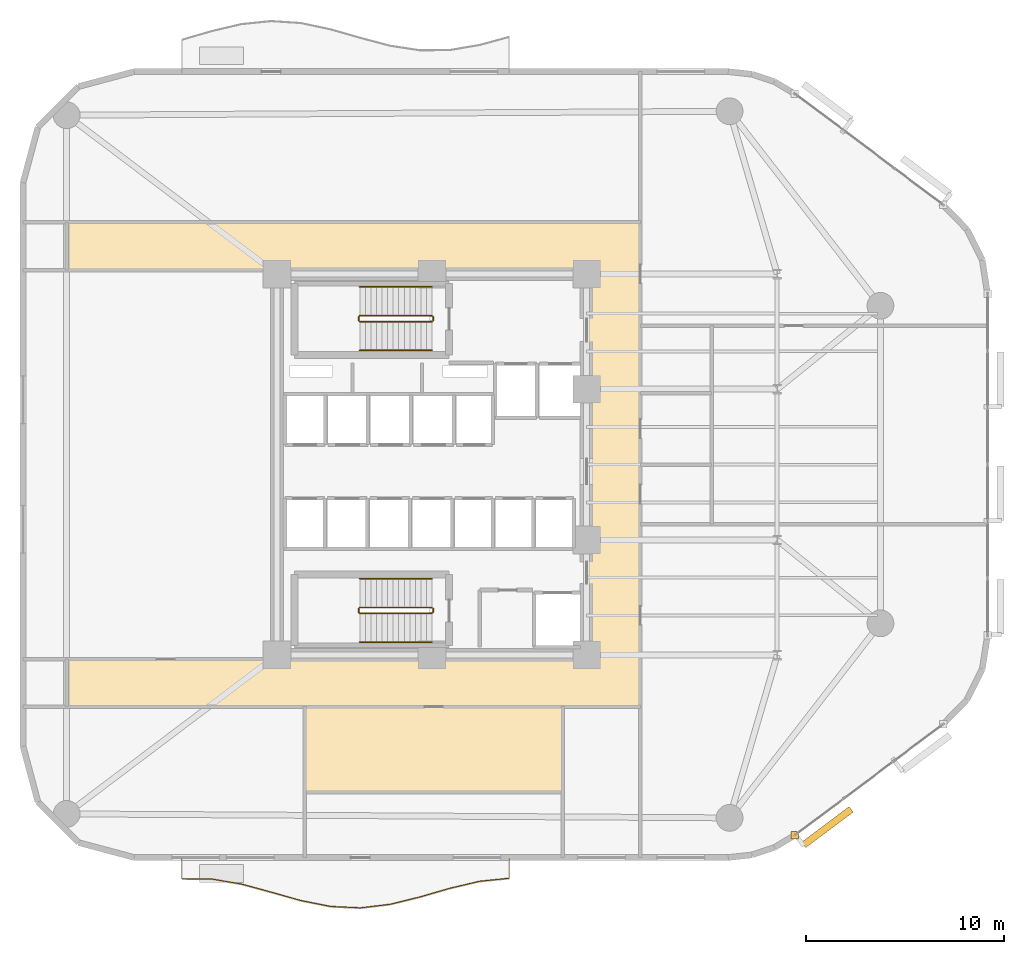
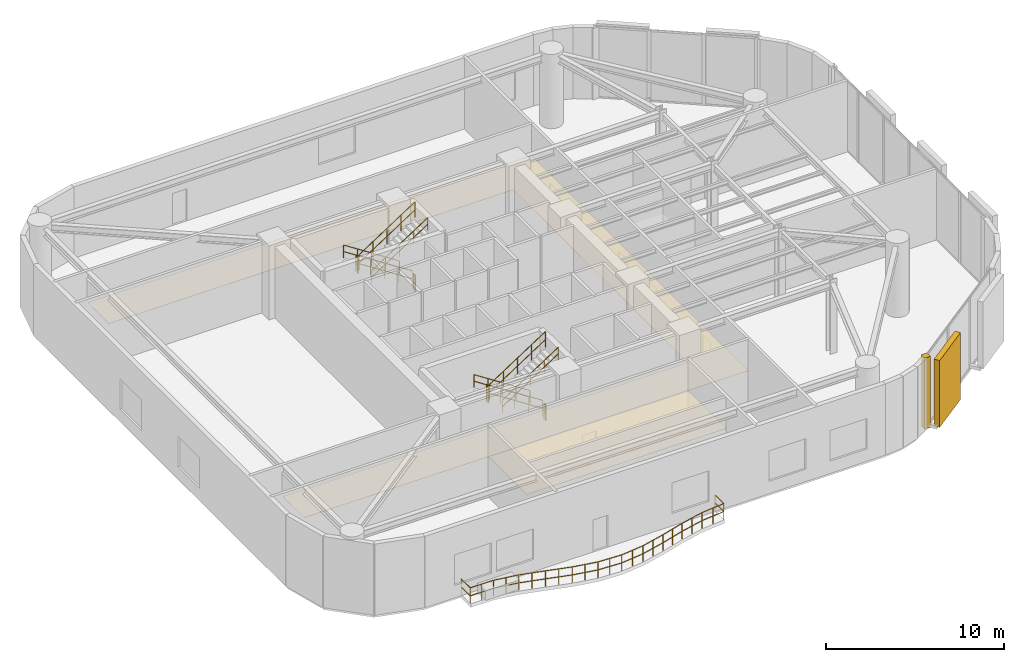
# One storey, part 13 of 14: 13 railings, 3 coverings, 1 shading device.
"""IFC4 building model written with IfcOpenShell, lengths in metres."""

from ifc_helpers import new_model, si_unit, direction, frame, origin, origin_2d, place, context, subcontext, project, spatial, polyline, rectangle, circle, outline, extrude, material, layer, layer_set, type_object, element, save


model = new_model("IFC4")

# Units and contexts
model_context = context("Model", 3, precision=1e-05, world=origin(), true_north=direction((0.0, 1.0)))
body_context = subcontext(model_context, "Body", "Model", "MODEL_VIEW")
ifc_project = project(units=[si_unit("LENGTHUNIT", "METRE"), si_unit("AREAUNIT", "SQUARE_METRE"), si_unit("VOLUMEUNIT", "CUBIC_METRE"), si_unit("PLANEANGLEUNIT", "RADIAN"), si_unit("MASSUNIT", "GRAM", prefix="KILO")], contexts=[model_context])

# Site, building, storey
site_placement = place(None, origin())
site = spatial("IfcSite", under=ifc_project, at=site_placement, CompositionType="ELEMENT")
building_placement = place(site_placement, origin())
building = spatial("IfcBuilding", under=site, at=building_placement, Name="An Khanh Terracotta Commons", CompositionType="ELEMENT")
storey_placement = place(building_placement, frame((0.0, 0.0, 81.199951171875)))
storey = spatial("IfcBuildingStorey", under=building, at=storey_placement, Name="L21", CompositionType="ELEMENT", Elevation=81.199951171875)

# Coverings
ifc_material_1 = material(Name="Perforated Mineral-Fibre Acoustic Tile")
ifc_layer_1 = layer(ifc_material_1, 0.02001953125, Name="Perforated Mineral-Fibre Acoustic Tile")
ifc_layer_set_1 = layer_set([ifc_layer_1], Name="Perforated Mineral-Fibre Acoustic Tile")
covering_type_1 = type_object("IfcCoveringType", Name="CEIL-ACOUSTIC-18", PredefinedType="CEILING", material=ifc_layer_set_1)
covering_1_placement = place(storey_placement, frame((0.0, 0.0, 2.650146484375)))
element("IfcCovering", 1, at=covering_1_placement, inside=storey, type_object=covering_type_1, Name="L21 Sky Lobby Ceiling", PredefinedType="CEILING", context=body_context, shape_type="SweptSolid", body=[
    extrude(outline(polyline([(11.0, 11.800048828125), (11.0, 14.199951171875), (37.300048828125, 14.199951171875), (37.300048828125, 14.280029296875), (37.320068359375, 14.280029296875), (37.320068359375, 33.719970703125), (37.300048828125, 33.719970703125), (37.300048828125, 33.800048828125), (11.0, 33.800048828125), (11.0, 36.199951171875), (39.89990234375, 36.199951171875), (39.89990234375, 35.800048828125), (39.89990234375, 33.800048828125), (39.89990234375, 14.199951171875), (39.89990234375, 12.199951171875), (39.89990234375, 11.800048828125), (11.0, 11.800048828125)])), origin(), (0.0, 0.0, 1.0), 0.02001953125),
])
covering_2_placement = place(storey_placement, frame((0.0, 0.0, 2.650146484375)))
element("IfcCovering", 2, at=covering_2_placement, inside=storey, type_object=covering_type_1, Name="L21 Sky Lobby Pantry Store Ceiling", PredefinedType="CEILING", context=body_context, shape_type="SweptSolid", body=[
    extrude(outline(polyline([(36.0, 11.800048828125), (36.0, 7.5), (23.0, 7.5), (23.0, 11.800048828125), (36.0, 11.800048828125)])), origin(), (0.0, 0.0, 1.0), 0.02001953125),
])
ifc_material_2 = material(Name="Fired Terracotta Rainscreen Cladding", Category="masonry")
ifc_layer_2 = layer(ifc_material_2, 0.080078125, Name="Fired Terracotta Rainscreen Cladding")
ifc_layer_set_2 = layer_set([ifc_layer_2], Name="Fired Terracotta Rainscreen Cladding")
covering_type_2 = type_object("IfcCoveringType", Name="COV-JAMB-TERRA", PredefinedType="CLADDING", material=ifc_layer_set_2)
covering_3_placement = place(storey_placement, frame((47.693115234375, 5.320068359375, 0.0), z_axis=(0.0, 0.0, 1.0), x_axis=(1.0, 0.0, 0.0)))
element("IfcCovering", 3, at=covering_3_placement, inside=storey, type_object=covering_type_2, Name="L21 CW-04 Curtain-Wall Jamb Closure JA", PredefinedType="CLADDING", context=body_context, shape_type="SweptSolid", body=[
    extrude(rectangle(XDim=0.3798828125, YDim=0.3798828125, at=origin_2d()), origin(), (0.0, 0.0, 1.0), 4.89990234375),
])

# Railings
ifc_material_3 = material(Name="Brushed Stainless Steel 316", Category="steel")
railing_type_1 = type_object("IfcRailingType", Name="RAIL-BALUSTRADE-1100", PredefinedType="BALUSTRADE", material=ifc_material_3)
railing_1_placement = place(storey_placement, frame((16.800048828125, 4.139892578125, 0.0)))
element("IfcRailing", 4, at=railing_1_placement, inside=storey, type_object=railing_type_1, Name="L21 S Wave Balcony Guard Balustrade", PredefinedType="BALUSTRADE", context=body_context, shape_type="SweptSolid", body=[
    extrude(circle(Radius=0.02392578125, at=origin_2d()), frame((0.0, 0.0, 1.076171875), z_axis=(0.0, -1.0, 0.0), x_axis=(1.0, 0.0, 0.0)), (0.0, 0.0, 1.0), 1.005859375),
    extrude(circle(Radius=0.02392578125, at=origin_2d()), frame((0.0, 0.0, 0.52587890625), z_axis=(0.0, -1.0, 0.0), x_axis=(1.0, 0.0, 0.0)), (0.0, 0.0, 1.0), 1.005859375),
    extrude(circle(Radius=0.02392578125, at=origin_2d()), frame((0.0, -1.005859375, 1.076171875), z_axis=(0.999956968224, -0.009276944529, 0.0), x_axis=(0.009276944529, 0.999956968224, 0.0)), (0.0, 0.0, 1.0), 1.5),
    extrude(circle(Radius=0.02392578125, at=origin_2d()), frame((0.0, -1.005859375, 0.52587890625), z_axis=(0.999956968224, -0.009276944529, 0.0), x_axis=(0.009276944529, 0.999956968224, 0.0)), (0.0, 0.0, 1.0), 1.5),
    extrude(circle(Radius=0.02392578125, at=origin_2d()), frame((1.5, -1.019775390625, 1.076171875), z_axis=(0.986053503704, -0.166428626846, 0.0), x_axis=(0.166428626846, 0.986053503704, 0.0)), (0.0, 0.0, 1.0), 1.521240234375),
    extrude(circle(Radius=0.02392578125, at=origin_2d()), frame((1.5, -1.019775390625, 0.52587890625), z_axis=(0.986053503704, -0.166428626846, 0.0), x_axis=(0.166428626846, 0.986053503704, 0.0)), (0.0, 0.0, 1.0), 1.521240234375),
    extrude(circle(Radius=0.02392578125, at=origin_2d()), frame((3.0, -1.27294921875, 1.076171875), z_axis=(0.964948425307, -0.262439586375, 0.0), x_axis=(0.262439586375, 0.964948425307, 0.0)), (0.0, 0.0, 1.0), 1.554443359375),
    extrude(circle(Radius=0.02392578125, at=origin_2d()), frame((3.0, -1.27294921875, 0.52587890625), z_axis=(0.964948425307, -0.262439586375, 0.0), x_axis=(0.262439586375, 0.964948425307, 0.0)), (0.0, 0.0, 1.0), 1.554443359375),
    extrude(circle(Radius=0.02392578125, at=origin_2d()), frame((4.5, -1.680908203125, 1.076171875), z_axis=(0.962282666556, -0.272051593719, 0.0), x_axis=(0.272051593719, 0.962282666556, 0.0)), (0.0, 0.0, 1.0), 1.558837890625),
    extrude(circle(Radius=0.02392578125, at=origin_2d()), frame((4.5, -1.680908203125, 0.52587890625), z_axis=(0.962282666556, -0.272051593719, 0.0), x_axis=(0.272051593719, 0.962282666556, 0.0)), (0.0, 0.0, 1.0), 1.558837890625),
    extrude(circle(Radius=0.02392578125, at=origin_2d()), frame((6.0, -2.10498046875, 1.076171875), z_axis=(0.980849911242, -0.194765119094, 0.0), x_axis=(0.194765119094, 0.980849911242, 0.0)), (0.0, 0.0, 1.0), 1.529296875),
    extrude(circle(Radius=0.02392578125, at=origin_2d()), frame((6.0, -2.10498046875, 0.52587890625), z_axis=(0.980849911242, -0.194765119094, 0.0), x_axis=(0.194765119094, 0.980849911242, 0.0)), (0.0, 0.0, 1.0), 1.529296875),
    extrude(circle(Radius=0.02392578125, at=origin_2d()), frame((7.5, -2.40283203125, 1.076171875), z_axis=(0.998880243389, -0.047310245903, 0.0), x_axis=(0.047310245903, 0.998880243389, 0.0)), (0.0, 0.0, 1.0), 1.501708984375),
    extrude(circle(Radius=0.02392578125, at=origin_2d()), frame((7.5, -2.40283203125, 0.52587890625), z_axis=(0.998880243389, -0.047310245903, 0.0), x_axis=(0.047310245903, 0.998880243389, 0.0)), (0.0, 0.0, 1.0), 1.501708984375),
    extrude(circle(Radius=0.02392578125, at=origin_2d()), frame((9.0, -2.473876953125, 1.076171875), z_axis=(0.99288219023, 0.11910061429, 0.0), x_axis=(-0.11910061429, 0.99288219023, 0.0)), (0.0, 0.0, 1.0), 1.5107421875),
    extrude(circle(Radius=0.02392578125, at=origin_2d()), frame((9.0, -2.473876953125, 0.52587890625), z_axis=(0.99288219023, 0.11910061429, 0.0), x_axis=(-0.11910061429, 0.99288219023, 0.0)), (0.0, 0.0, 1.0), 1.5107421875),
    extrude(circle(Radius=0.02392578125, at=origin_2d()), frame((10.5, -2.2939453125, 1.076171875), z_axis=(0.970881568768, 0.239559970419, 0.0), x_axis=(-0.239559970419, 0.970881568768, 0.0)), (0.0, 0.0, 1.0), 1.544921875),
    extrude(circle(Radius=0.02392578125, at=origin_2d()), frame((10.5, -2.2939453125, 0.52587890625), z_axis=(0.970881568768, 0.239559970419, 0.0), x_axis=(-0.239559970419, 0.970881568768, 0.0)), (0.0, 0.0, 1.0), 1.544921875),
    extrude(circle(Radius=0.02392578125, at=origin_2d()), frame((12.0, -1.923828125, 1.076171875), z_axis=(0.960460913759, 0.278414857976, 0.0), x_axis=(-0.278414857976, 0.960460913759, 0.0)), (0.0, 0.0, 1.0), 1.561767578125),
    extrude(circle(Radius=0.02392578125, at=origin_2d()), frame((12.0, -1.923828125, 0.52587890625), z_axis=(0.960460913759, 0.278414857976, 0.0), x_axis=(-0.278414857976, 0.960460913759, 0.0)), (0.0, 0.0, 1.0), 1.561767578125),
    extrude(circle(Radius=0.02392578125, at=origin_2d()), frame((13.5, -1.489013671875, 1.076171875), z_axis=(0.973263214687, 0.229692653206, 0.0), x_axis=(-0.229692653206, 0.973263214687, 0.0)), (0.0, 0.0, 1.0), 1.541259765625),
    extrude(circle(Radius=0.02392578125, at=origin_2d()), frame((13.5, -1.489013671875, 0.52587890625), z_axis=(0.973263214687, 0.229692653206, 0.0), x_axis=(-0.229692653206, 0.973263214687, 0.0)), (0.0, 0.0, 1.0), 1.541259765625),
    extrude(circle(Radius=0.02392578125, at=origin_2d()), frame((15.0, -1.135009765625, 1.076171875), z_axis=(0.994833141332, 0.101523499286, 0.0), x_axis=(-0.101523499286, 0.994833141332, 0.0)), (0.0, 0.0, 1.0), 1.5078125),
    extrude(circle(Radius=0.02392578125, at=origin_2d()), frame((15.0, -1.135009765625, 0.52587890625), z_axis=(0.994833141332, 0.101523499286, 0.0), x_axis=(-0.101523499286, 0.994833141332, 0.0)), (0.0, 0.0, 1.0), 1.5078125),
    extrude(circle(Radius=0.02392578125, at=origin_2d()), frame((16.5, -0.98193359375, 1.076171875), z_axis=(0.0, 1.0, 0.0), x_axis=(-1.0, 0.0, 0.0)), (0.0, 0.0, 1.0), 0.98193359375),
    extrude(circle(Radius=0.02392578125, at=origin_2d()), frame((16.5, -0.98193359375, 0.52587890625), z_axis=(0.0, 1.0, 0.0), x_axis=(-1.0, 0.0, 0.0)), (0.0, 0.0, 1.0), 0.98193359375),
    extrude(circle(Radius=0.02099609375, at=origin_2d()), origin(), (0.0, 0.0, 1.0), 1.052001953125),
    extrude(circle(Radius=0.02099609375, at=origin_2d()), frame((0.0, -1.005859375, 0.0)), (0.0, 0.0, 1.0), 1.052001953125),
    extrude(circle(Radius=0.02099609375, at=origin_2d()), frame((0.75, -1.0126953125, 0.0)), (0.0, 0.0, 1.0), 1.052001953125),
    extrude(circle(Radius=0.02099609375, at=origin_2d()), frame((1.5, -1.019775390625, 0.0)), (0.0, 0.0, 1.0), 1.052001953125),
    extrude(circle(Radius=0.02099609375, at=origin_2d()), frame((2.25, -1.146484375, 0.0)), (0.0, 0.0, 1.0), 1.052001953125),
    extrude(circle(Radius=0.02099609375, at=origin_2d()), frame((3.0, -1.27294921875, 0.0)), (0.0, 0.0, 1.0), 1.052001953125),
    extrude(circle(Radius=0.02099609375, at=origin_2d()), frame((3.75, -1.47705078125, 0.0)), (0.0, 0.0, 1.0), 1.052001953125),
    extrude(circle(Radius=0.02099609375, at=origin_2d()), frame((4.5, -1.680908203125, 0.0)), (0.0, 0.0, 1.0), 1.052001953125),
    extrude(circle(Radius=0.02099609375, at=origin_2d()), frame((5.25, -1.89306640625, 0.0)), (0.0, 0.0, 1.0), 1.052001953125),
    extrude(circle(Radius=0.02099609375, at=origin_2d()), frame((6.0, -2.10498046875, 0.0)), (0.0, 0.0, 1.0), 1.052001953125),
    extrude(circle(Radius=0.02099609375, at=origin_2d()), frame((6.75, -2.25390625, 0.0)), (0.0, 0.0, 1.0), 1.052001953125),
    extrude(circle(Radius=0.02099609375, at=origin_2d()), frame((7.5, -2.40283203125, 0.0)), (0.0, 0.0, 1.0), 1.052001953125),
    extrude(circle(Radius=0.02099609375, at=origin_2d()), frame((8.25, -2.4384765625, 0.0)), (0.0, 0.0, 1.0), 1.052001953125),
    extrude(circle(Radius=0.02099609375, at=origin_2d()), frame((9.0, -2.473876953125, 0.0)), (0.0, 0.0, 1.0), 1.052001953125),
    extrude(circle(Radius=0.02099609375, at=origin_2d()), frame((9.75, -2.3837890625, 0.0)), (0.0, 0.0, 1.0), 1.052001953125),
    extrude(circle(Radius=0.02099609375, at=origin_2d()), frame((10.5, -2.2939453125, 0.0)), (0.0, 0.0, 1.0), 1.052001953125),
    extrude(circle(Radius=0.02099609375, at=origin_2d()), frame((11.25, -2.10888671875, 0.0)), (0.0, 0.0, 1.0), 1.052001953125),
    extrude(circle(Radius=0.02099609375, at=origin_2d()), frame((12.0, -1.923828125, 0.0)), (0.0, 0.0, 1.0), 1.052001953125),
    extrude(circle(Radius=0.02099609375, at=origin_2d()), frame((12.75, -1.70654296875, 0.0)), (0.0, 0.0, 1.0), 1.052001953125),
    extrude(circle(Radius=0.02099609375, at=origin_2d()), frame((13.5, -1.489013671875, 0.0)), (0.0, 0.0, 1.0), 1.052001953125),
    extrude(circle(Radius=0.02099609375, at=origin_2d()), frame((14.25, -1.31201171875, 0.0)), (0.0, 0.0, 1.0), 1.052001953125),
    extrude(circle(Radius=0.02099609375, at=origin_2d()), frame((15.0, -1.135009765625, 0.0)), (0.0, 0.0, 1.0), 1.052001953125),
    extrude(circle(Radius=0.02099609375, at=origin_2d()), frame((15.75, -1.05859375, 0.0)), (0.0, 0.0, 1.0), 1.052001953125),
    extrude(circle(Radius=0.02099609375, at=origin_2d()), frame((16.5, -0.98193359375, 0.0)), (0.0, 0.0, 1.0), 1.052001953125),
    extrude(circle(Radius=0.02099609375, at=origin_2d()), frame((16.5, 0.0, 0.0)), (0.0, 0.0, 1.0), 1.052001953125),
])
railing_type_2 = type_object("IfcRailingType", Name="RAIL-HANDRAIL-900", PredefinedType="HANDRAIL", material=ifc_material_3)
railing_2_placement = place(storey_placement, frame((29.409912109375, 32.949951171875, 0.18212890625)))
element("IfcRailing", 5, at=railing_2_placement, inside=storey, type_object=railing_type_2, Name="L21 ST-01 stair handrail 1", PredefinedType="HANDRAIL", context=body_context, shape_type="SweptSolid", body=[
    extrude(circle(Radius=0.02392578125, at=origin_2d()), frame((0.0, 0.0, 0.8759765625), z_axis=(-0.838234174257, 0.0, 0.545310433706), x_axis=(0.0, -1.0, 0.0)), (0.0, 0.0, 1.0), 4.34228515625),
    extrude(circle(Radius=0.02392578125, at=origin_2d()), frame((0.0, 0.0, 0.42578125), z_axis=(-0.838234174257, 0.0, 0.545310433706), x_axis=(0.0, -1.0, 0.0)), (0.0, 0.0, 1.0), 4.34228515625),
    extrude(circle(Radius=0.02099609375, at=origin_2d()), origin(), (0.0, 0.0, 1.0), 0.851806640625),
    extrude(circle(Radius=0.02099609375, at=origin_2d()), frame((-0.909912109375, 0.0, 0.592041015625)), (0.0, 0.0, 1.0), 0.851806640625),
    extrude(circle(Radius=0.02099609375, at=origin_2d()), frame((-1.81982421875, 0.0, 1.18408203125)), (0.0, 0.0, 1.0), 0.851806640625),
    extrude(circle(Radius=0.02099609375, at=origin_2d()), frame((-2.72998046875, 0.0, 1.77587890625)), (0.0, 0.0, 1.0), 0.851806640625),
    extrude(circle(Radius=0.02099609375, at=origin_2d()), frame((-3.639892578125, 0.0, 2.367919921875)), (0.0, 0.0, 1.0), 0.851806640625),
])
railing_3_placement = place(storey_placement, frame((25.77001953125, 29.75, 2.732177734375)))
element("IfcRailing", 6, at=railing_3_placement, inside=storey, type_object=railing_type_2, Name="L21 ST-01 stair handrail 2", PredefinedType="HANDRAIL", context=body_context, shape_type="SweptSolid", body=[
    extrude(circle(Radius=0.02392578125, at=origin_2d()), frame((0.0, 0.0, 0.8759765625), z_axis=(0.838234174257, 0.0, 0.545310433706), x_axis=(0.0, 1.0, 0.0)), (0.0, 0.0, 1.0), 4.34228515625),
    extrude(circle(Radius=0.02392578125, at=origin_2d()), frame((0.0, 0.0, 0.42578125), z_axis=(0.838234174257, 0.0, 0.545310433706), x_axis=(0.0, 1.0, 0.0)), (0.0, 0.0, 1.0), 4.34228515625),
    extrude(circle(Radius=0.02099609375, at=origin_2d()), origin(), (0.0, 0.0, 1.0), 0.851806640625),
    extrude(circle(Radius=0.02099609375, at=origin_2d()), frame((0.909912109375, 0.0, 0.592041015625)), (0.0, 0.0, 1.0), 0.851806640625),
    extrude(circle(Radius=0.02099609375, at=origin_2d()), frame((1.81982421875, 0.0, 1.18408203125)), (0.0, 0.0, 1.0), 0.851806640625),
    extrude(circle(Radius=0.02099609375, at=origin_2d()), frame((2.72998046875, 0.0, 1.77587890625)), (0.0, 0.0, 1.0), 0.851806640625),
    extrude(circle(Radius=0.02099609375, at=origin_2d()), frame((3.639892578125, 0.0, 2.367919921875)), (0.0, 0.0, 1.0), 0.851806640625),
])
railing_4_placement = place(storey_placement, frame((29.409912109375, 18.25, 0.18212890625)))
element("IfcRailing", 7, at=railing_4_placement, inside=storey, type_object=railing_type_2, Name="L21 ST-02 stair handrail 1", PredefinedType="HANDRAIL", context=body_context, shape_type="SweptSolid", body=[
    extrude(circle(Radius=0.02392578125, at=origin_2d()), frame((0.0, 0.0, 0.8759765625), z_axis=(-0.838234174257, 0.0, 0.545310433706), x_axis=(0.0, -1.0, 0.0)), (0.0, 0.0, 1.0), 4.34228515625),
    extrude(circle(Radius=0.02392578125, at=origin_2d()), frame((0.0, 0.0, 0.42578125), z_axis=(-0.838234174257, 0.0, 0.545310433706), x_axis=(0.0, -1.0, 0.0)), (0.0, 0.0, 1.0), 4.34228515625),
    extrude(circle(Radius=0.02099609375, at=origin_2d()), origin(), (0.0, 0.0, 1.0), 0.851806640625),
    extrude(circle(Radius=0.02099609375, at=origin_2d()), frame((-0.909912109375, 0.0, 0.592041015625)), (0.0, 0.0, 1.0), 0.851806640625),
    extrude(circle(Radius=0.02099609375, at=origin_2d()), frame((-1.81982421875, 0.0, 1.18408203125)), (0.0, 0.0, 1.0), 0.851806640625),
    extrude(circle(Radius=0.02099609375, at=origin_2d()), frame((-2.72998046875, 0.0, 1.77587890625)), (0.0, 0.0, 1.0), 0.851806640625),
    extrude(circle(Radius=0.02099609375, at=origin_2d()), frame((-3.639892578125, 0.0, 2.367919921875)), (0.0, 0.0, 1.0), 0.851806640625),
])
railing_5_placement = place(storey_placement, frame((25.77001953125, 15.050048828125, 2.732177734375)))
element("IfcRailing", 8, at=railing_5_placement, inside=storey, type_object=railing_type_2, Name="L21 ST-02 stair handrail 2", PredefinedType="HANDRAIL", context=body_context, shape_type="SweptSolid", body=[
    extrude(circle(Radius=0.02392578125, at=origin_2d()), frame((0.0, 0.0, 0.8759765625), z_axis=(0.838234174257, 0.0, 0.545310433706), x_axis=(0.0, 1.0, 0.0)), (0.0, 0.0, 1.0), 4.34228515625),
    extrude(circle(Radius=0.02392578125, at=origin_2d()), frame((0.0, 0.0, 0.42578125), z_axis=(0.838234174257, 0.0, 0.545310433706), x_axis=(0.0, 1.0, 0.0)), (0.0, 0.0, 1.0), 4.34228515625),
    extrude(circle(Radius=0.02099609375, at=origin_2d()), origin(), (0.0, 0.0, 1.0), 0.851806640625),
    extrude(circle(Radius=0.02099609375, at=origin_2d()), frame((0.909912109375, 0.0, 0.592041015625)), (0.0, 0.0, 1.0), 0.851806640625),
    extrude(circle(Radius=0.02099609375, at=origin_2d()), frame((1.81982421875, 0.0, 1.18408203125)), (0.0, 0.0, 1.0), 0.851806640625),
    extrude(circle(Radius=0.02099609375, at=origin_2d()), frame((2.72998046875, 0.0, 1.77587890625)), (0.0, 0.0, 1.0), 0.851806640625),
    extrude(circle(Radius=0.02099609375, at=origin_2d()), frame((3.639892578125, 0.0, 2.367919921875)), (0.0, 0.0, 1.0), 0.851806640625),
])
ifc_material_4 = material(Name="Powder-Coated Steel S355J2", Category="steel")
railing_type_3 = type_object("IfcRailingType", Name="RAIL-STAIR-GUARD-1100", PredefinedType="BALUSTRADE", material=ifc_material_4)
railing_6_placement = place(storey_placement, frame((29.409912109375, 31.5, 0.18212890625)))
element("IfcRailing", 9, at=railing_6_placement, inside=storey, type_object=railing_type_3, Name="L21 ST-01 stair guard 1", PredefinedType="BALUSTRADE", context=body_context, shape_type="SweptSolid", body=[
    extrude(circle(Radius=0.02392578125, at=origin_2d()), frame((0.0, 0.0, 1.076171875), z_axis=(-0.838234174257, 0.0, 0.545310433706), x_axis=(0.0, -1.0, 0.0)), (0.0, 0.0, 1.0), 4.34228515625),
    extrude(circle(Radius=0.02392578125, at=origin_2d()), frame((0.0, 0.0, 0.52587890625), z_axis=(-0.838234174257, 0.0, 0.545310433706), x_axis=(0.0, -1.0, 0.0)), (0.0, 0.0, 1.0), 4.34228515625),
    extrude(circle(Radius=0.02099609375, at=origin_2d()), origin(), (0.0, 0.0, 1.0), 1.052001953125),
    extrude(circle(Radius=0.02099609375, at=origin_2d()), frame((-0.909912109375, 0.0, 0.592041015625)), (0.0, 0.0, 1.0), 1.052001953125),
    extrude(circle(Radius=0.02099609375, at=origin_2d()), frame((-1.81982421875, 0.0, 1.18408203125)), (0.0, 0.0, 1.0), 1.052001953125),
    extrude(circle(Radius=0.02099609375, at=origin_2d()), frame((-2.72998046875, 0.0, 1.77587890625)), (0.0, 0.0, 1.0), 1.052001953125),
    extrude(circle(Radius=0.02099609375, at=origin_2d()), frame((-3.639892578125, 0.0, 2.367919921875)), (0.0, 0.0, 1.0), 1.052001953125),
])
railing_7_placement = place(storey_placement, frame((25.719970703125, 31.449951171875, 2.550048828125)))
element("IfcRailing", 10, at=railing_7_placement, inside=storey, type_object=railing_type_3, Name="L21 ST-01 stair guard 2", PredefinedType="BALUSTRADE", context=body_context, shape_type="SweptSolid", body=[
    extrude(circle(Radius=0.02392578125, at=origin_2d()), frame((0.0, 0.0, 1.076171875), z_axis=(0.0, -1.0, 0.0), x_axis=(1.0, 0.0, 0.0)), (0.0, 0.0, 1.0), 0.199951171875),
    extrude(circle(Radius=0.02392578125, at=origin_2d()), frame((0.0, 0.0, 0.52587890625), z_axis=(0.0, -1.0, 0.0), x_axis=(1.0, 0.0, 0.0)), (0.0, 0.0, 1.0), 0.199951171875),
    extrude(circle(Radius=0.02099609375, at=origin_2d()), origin(), (0.0, 0.0, 1.0), 1.052001953125),
    extrude(circle(Radius=0.02099609375, at=origin_2d()), frame((0.0, -0.199951171875, 0.0)), (0.0, 0.0, 1.0), 1.052001953125),
])
railing_8_placement = place(storey_placement, frame((25.77001953125, 31.199951171875, 2.732177734375)))
element("IfcRailing", 11, at=railing_8_placement, inside=storey, type_object=railing_type_3, Name="L21 ST-01 stair guard 3", PredefinedType="BALUSTRADE", context=body_context, shape_type="SweptSolid", body=[
    extrude(circle(Radius=0.02392578125, at=origin_2d()), frame((0.0, 0.0, 1.076171875), z_axis=(0.838234174257, 0.0, 0.545310433706), x_axis=(0.0, 1.0, 0.0)), (0.0, 0.0, 1.0), 4.34228515625),
    extrude(circle(Radius=0.02392578125, at=origin_2d()), frame((0.0, 0.0, 0.52587890625), z_axis=(0.838234174257, 0.0, 0.545310433706), x_axis=(0.0, 1.0, 0.0)), (0.0, 0.0, 1.0), 4.34228515625),
    extrude(circle(Radius=0.02099609375, at=origin_2d()), origin(), (0.0, 0.0, 1.0), 1.052001953125),
    extrude(circle(Radius=0.02099609375, at=origin_2d()), frame((0.909912109375, 0.0, 0.592041015625)), (0.0, 0.0, 1.0), 1.052001953125),
    extrude(circle(Radius=0.02099609375, at=origin_2d()), frame((1.81982421875, 0.0, 1.18408203125)), (0.0, 0.0, 1.0), 1.052001953125),
    extrude(circle(Radius=0.02099609375, at=origin_2d()), frame((2.72998046875, 0.0, 1.77587890625)), (0.0, 0.0, 1.0), 1.052001953125),
    extrude(circle(Radius=0.02099609375, at=origin_2d()), frame((3.639892578125, 0.0, 2.367919921875)), (0.0, 0.0, 1.0), 1.052001953125),
])
railing_9_placement = place(storey_placement, frame((29.4599609375, 31.449951171875, 0.0)))
element("IfcRailing", 12, at=railing_9_placement, inside=storey, type_object=railing_type_3, Name="L21 ST-01 stair guard 4", PredefinedType="BALUSTRADE", context=body_context, shape_type="SweptSolid", body=[
    extrude(circle(Radius=0.02392578125, at=origin_2d()), frame((0.0, 0.0, 1.076171875), z_axis=(0.0, -1.0, 0.0), x_axis=(1.0, 0.0, 0.0)), (0.0, 0.0, 1.0), 0.199951171875),
    extrude(circle(Radius=0.02392578125, at=origin_2d()), frame((0.0, 0.0, 0.52587890625), z_axis=(0.0, -1.0, 0.0), x_axis=(1.0, 0.0, 0.0)), (0.0, 0.0, 1.0), 0.199951171875),
    extrude(circle(Radius=0.02099609375, at=origin_2d()), origin(), (0.0, 0.0, 1.0), 1.052001953125),
    extrude(circle(Radius=0.02099609375, at=origin_2d()), frame((0.0, -0.199951171875, 0.0)), (0.0, 0.0, 1.0), 1.052001953125),
])
railing_10_placement = place(storey_placement, frame((29.409912109375, 16.800048828125, 0.18212890625)))
element("IfcRailing", 13, at=railing_10_placement, inside=storey, type_object=railing_type_3, Name="L21 ST-02 stair guard 1", PredefinedType="BALUSTRADE", context=body_context, shape_type="SweptSolid", body=[
    extrude(circle(Radius=0.02392578125, at=origin_2d()), frame((0.0, 0.0, 1.076171875), z_axis=(-0.838234174257, 0.0, 0.545310433706), x_axis=(0.0, -1.0, 0.0)), (0.0, 0.0, 1.0), 4.34228515625),
    extrude(circle(Radius=0.02392578125, at=origin_2d()), frame((0.0, 0.0, 0.52587890625), z_axis=(-0.838234174257, 0.0, 0.545310433706), x_axis=(0.0, -1.0, 0.0)), (0.0, 0.0, 1.0), 4.34228515625),
    extrude(circle(Radius=0.02099609375, at=origin_2d()), origin(), (0.0, 0.0, 1.0), 1.052001953125),
    extrude(circle(Radius=0.02099609375, at=origin_2d()), frame((-0.909912109375, 0.0, 0.592041015625)), (0.0, 0.0, 1.0), 1.052001953125),
    extrude(circle(Radius=0.02099609375, at=origin_2d()), frame((-1.81982421875, 0.0, 1.18408203125)), (0.0, 0.0, 1.0), 1.052001953125),
    extrude(circle(Radius=0.02099609375, at=origin_2d()), frame((-2.72998046875, 0.0, 1.77587890625)), (0.0, 0.0, 1.0), 1.052001953125),
    extrude(circle(Radius=0.02099609375, at=origin_2d()), frame((-3.639892578125, 0.0, 2.367919921875)), (0.0, 0.0, 1.0), 1.052001953125),
])
railing_11_placement = place(storey_placement, frame((25.719970703125, 16.75, 2.550048828125)))
element("IfcRailing", 14, at=railing_11_placement, inside=storey, type_object=railing_type_3, Name="L21 ST-02 stair guard 2", PredefinedType="BALUSTRADE", context=body_context, shape_type="SweptSolid", body=[
    extrude(circle(Radius=0.02392578125, at=origin_2d()), frame((0.0, 0.0, 1.076171875), z_axis=(0.0, -1.0, 0.0), x_axis=(1.0, 0.0, 0.0)), (0.0, 0.0, 1.0), 0.199951171875),
    extrude(circle(Radius=0.02392578125, at=origin_2d()), frame((0.0, 0.0, 0.52587890625), z_axis=(0.0, -1.0, 0.0), x_axis=(1.0, 0.0, 0.0)), (0.0, 0.0, 1.0), 0.199951171875),
    extrude(circle(Radius=0.02099609375, at=origin_2d()), origin(), (0.0, 0.0, 1.0), 1.052001953125),
    extrude(circle(Radius=0.02099609375, at=origin_2d()), frame((0.0, -0.199951171875, 0.0)), (0.0, 0.0, 1.0), 1.052001953125),
])
railing_12_placement = place(storey_placement, frame((25.77001953125, 16.5, 2.732177734375)))
element("IfcRailing", 15, at=railing_12_placement, inside=storey, type_object=railing_type_3, Name="L21 ST-02 stair guard 3", PredefinedType="BALUSTRADE", context=body_context, shape_type="SweptSolid", body=[
    extrude(circle(Radius=0.02392578125, at=origin_2d()), frame((0.0, 0.0, 1.076171875), z_axis=(0.838234174257, 0.0, 0.545310433706), x_axis=(0.0, 1.0, 0.0)), (0.0, 0.0, 1.0), 4.34228515625),
    extrude(circle(Radius=0.02392578125, at=origin_2d()), frame((0.0, 0.0, 0.52587890625), z_axis=(0.838234174257, 0.0, 0.545310433706), x_axis=(0.0, 1.0, 0.0)), (0.0, 0.0, 1.0), 4.34228515625),
    extrude(circle(Radius=0.02099609375, at=origin_2d()), origin(), (0.0, 0.0, 1.0), 1.052001953125),
    extrude(circle(Radius=0.02099609375, at=origin_2d()), frame((0.909912109375, 0.0, 0.592041015625)), (0.0, 0.0, 1.0), 1.052001953125),
    extrude(circle(Radius=0.02099609375, at=origin_2d()), frame((1.81982421875, 0.0, 1.18408203125)), (0.0, 0.0, 1.0), 1.052001953125),
    extrude(circle(Radius=0.02099609375, at=origin_2d()), frame((2.72998046875, 0.0, 1.77587890625)), (0.0, 0.0, 1.0), 1.052001953125),
    extrude(circle(Radius=0.02099609375, at=origin_2d()), frame((3.639892578125, 0.0, 2.367919921875)), (0.0, 0.0, 1.0), 1.052001953125),
])
railing_13_placement = place(storey_placement, frame((29.4599609375, 16.75, 0.0)))
element("IfcRailing", 16, at=railing_13_placement, inside=storey, type_object=railing_type_3, Name="L21 ST-02 stair guard 4", PredefinedType="BALUSTRADE", context=body_context, shape_type="SweptSolid", body=[
    extrude(circle(Radius=0.02392578125, at=origin_2d()), frame((0.0, 0.0, 1.076171875), z_axis=(0.0, -1.0, 0.0), x_axis=(1.0, 0.0, 0.0)), (0.0, 0.0, 1.0), 0.199951171875),
    extrude(circle(Radius=0.02392578125, at=origin_2d()), frame((0.0, 0.0, 0.52587890625), z_axis=(0.0, -1.0, 0.0), x_axis=(1.0, 0.0, 0.0)), (0.0, 0.0, 1.0), 0.199951171875),
    extrude(circle(Radius=0.02099609375, at=origin_2d()), origin(), (0.0, 0.0, 1.0), 1.052001953125),
    extrude(circle(Radius=0.02099609375, at=origin_2d()), frame((0.0, -0.199951171875, 0.0)), (0.0, 0.0, 1.0), 1.052001953125),
])

# Shading device
ifc_material_5 = material(Name="Extruded Fired Terracotta", Category="masonry")
shading_device_type = type_object("IfcShadingDeviceType", Name="Terracotta Baguette Screen Assembly", PredefinedType="USERDEFINED", material=ifc_material_5)
shading_device_placement = place(storey_placement, frame((49.326904296875, 5.73291015625, 0.14990234375), z_axis=(0.0, 0.0, 1.0), x_axis=(0.800012856594, 0.599982857492, 0.0)))
element("IfcShadingDevice", 17, at=shading_device_placement, inside=storey, type_object=shading_device_type, Name="L21 Terracotta Baguette Screen 1", ObjectType="BAGUETTE", PredefinedType="USERDEFINED", context=body_context, shape_type="SweptSolid", body=[
    extrude(rectangle(XDim=2.990966796875, YDim=0.35009765625, at=origin_2d()), origin(), (0.0, 0.0, 1.0), 4.60009765625),
])

save(model, "model.ifc")
